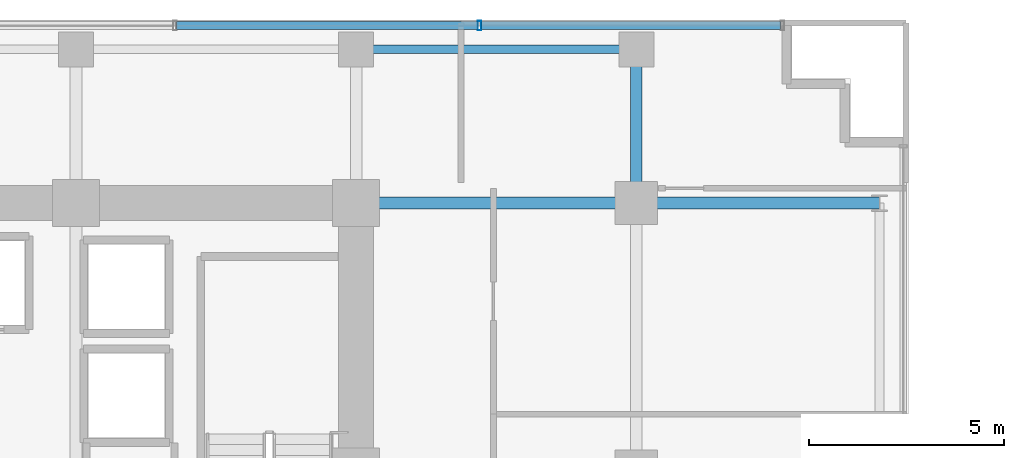
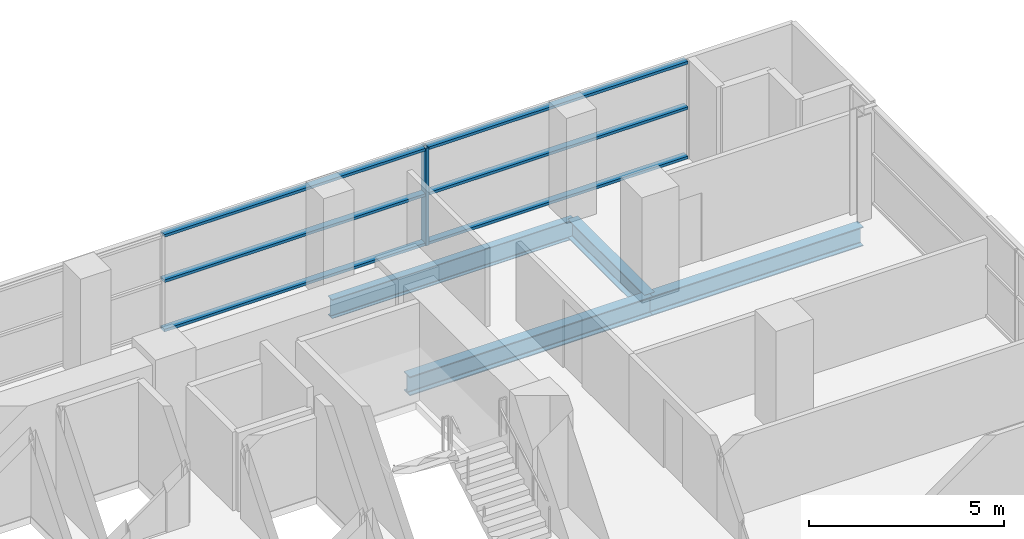
# One storey, part 19 of 30: 7 members, 4 beams, 1 element without a shape of its own.
"""IFC4 building model written with IfcOpenShell, lengths in metres."""

from ifc_helpers import new_model, si_unit, direction, frame, origin, origin_2d, place, context, subcontext, project, spatial, hollow_rectangle, i_section, extrude, source, transform, mapped, material, layer, layer_set, material_profile, profile_set, type_object, element, aggregate, save


model = new_model("IFC4")

# Units and contexts
model_context = context("Model", 3, precision=1e-05, world=origin(), true_north=direction((0.0, 1.0)))
body_context = subcontext(model_context, "Body", "Model", "MODEL_VIEW")
ifc_project = project(units=[si_unit("LENGTHUNIT", "METRE"), si_unit("AREAUNIT", "SQUARE_METRE"), si_unit("VOLUMEUNIT", "CUBIC_METRE"), si_unit("PLANEANGLEUNIT", "RADIAN"), si_unit("MASSUNIT", "GRAM", prefix="KILO")], contexts=[model_context])

# Site, building, storey
site_placement = place(None, origin())
site = spatial("IfcSite", under=ifc_project, at=site_placement, CompositionType="ELEMENT")
building_placement = place(site_placement, origin())
building = spatial("IfcBuilding", under=site, at=building_placement, Name="Zarnakvel Exchange Tower", CompositionType="ELEMENT")
storey_placement = place(building_placement, frame((0.0, 0.0, 50.5)))
storey = spatial("IfcBuildingStorey", under=building, at=storey_placement, Name="L13", CompositionType="ELEMENT", Elevation=50.5)

# Beams
ifc_material_1 = material(Name="Steel S355", Category="steel")
ifc_material_profile_1 = material_profile(ifc_material_1, i_section(OverallWidth=0.300048828125, OverallDepth=0.60009765625, WebThickness=0.015380859375, FlangeThickness=0.030029296875, FilletRadius=0.027099609375, at=origin_2d()))
ifc_profile_set_1 = profile_set([ifc_material_profile_1], Name="Steel S355")
beam_type_1 = type_object("IfcBeamType", Name="G-04", PredefinedType="BEAM", material=ifc_profile_set_1)
beam_1_placement = place(storey_placement, frame((14.39990234375, 13.5, -0.52490234375), z_axis=(1.0, 0.0, 0.0), x_axis=(0.0, 1.0, 0.0)))
element("IfcBeam", 1, at=beam_1_placement, inside=storey, type_object=beam_type_1, Name="L13 Tower E-W Frame Beam", PredefinedType="BEAM", context=body_context, shape_type="SweptSolid", body=[
    extrude(i_section(OverallWidth=0.300048828125, OverallDepth=0.60009765625, WebThickness=0.015380859375, FlangeThickness=0.030029296875, FilletRadius=0.027099609375, at=origin_2d()), origin(), (0.0, 0.0, 1.0), 7.2001953125),
])
beam_2_placement = place(storey_placement, frame((21.60009765625, 13.5, -0.52490234375), z_axis=(1.0, 0.0, 0.0), x_axis=(0.0, 1.0, 0.0)))
element("IfcBeam", 2, at=beam_2_placement, inside=storey, type_object=beam_type_1, Name="L13 Tower E-W Frame Beam", PredefinedType="BEAM", context=body_context, shape_type="SweptSolid", body=[
    extrude(i_section(OverallWidth=0.300048828125, OverallDepth=0.60009765625, WebThickness=0.015380859375, FlangeThickness=0.030029296875, FilletRadius=0.027099609375, at=origin_2d()), origin(), (0.0, 0.0, 1.0), 6.25),
])
beam_3_placement = place(storey_placement, frame((21.60009765625, 13.5, -0.52490234375), z_axis=(0.0, 1.0, 0.0), x_axis=(-1.0, 0.0, 0.0)))
element("IfcBeam", 3, at=beam_3_placement, inside=storey, type_object=beam_type_1, Name="L13 Tower N-S Frame Beam", PredefinedType="BEAM", context=body_context, shape_type="SweptSolid", body=[
    extrude(i_section(OverallWidth=0.300048828125, OverallDepth=0.60009765625, WebThickness=0.015380859375, FlangeThickness=0.030029296875, FilletRadius=0.027099609375, at=origin_2d()), origin(), (0.0, 0.0, 1.0), 3.949951171875),
])
ifc_material_profile_2 = material_profile(ifc_material_1, i_section(OverallWidth=0.219970703125, OverallDepth=0.60009765625, WebThickness=0.011962890625, FlangeThickness=0.01904296875, FilletRadius=0.02392578125, at=origin_2d()))
ifc_profile_set_2 = profile_set([ifc_material_profile_2], Name="Steel S355")
beam_type_2 = type_object("IfcBeamType", Name="SP-01", PredefinedType="SPANDREL", material=ifc_profile_set_2)
beam_4_placement = place(storey_placement, frame((14.39990234375, 17.449951171875, -0.52490234375), z_axis=(1.0, 0.0, 0.0), x_axis=(0.0, 1.0, 0.0)))
element("IfcBeam", 4, at=beam_4_placement, inside=storey, type_object=beam_type_2, Name="L13 Tower E-W Frame Beam", PredefinedType="SPANDREL", context=body_context, shape_type="SweptSolid", body=[
    extrude(i_section(OverallWidth=0.219970703125, OverallDepth=0.60009765625, WebThickness=0.011962890625, FlangeThickness=0.01904296875, FilletRadius=0.02392578125, at=origin_2d()), origin(), (0.0, 0.0, 1.0), 7.2001953125),
])

# Curtain wall, members
ifc_material_2 = material(Name="Architectural Bronze Anodised Aluminium", Category="aluminium")
ifc_layer = layer(ifc_material_2, 0.239990234375)
ifc_layer_set = layer_set([ifc_layer], Name="Architectural Bronze Anodised Aluminium")
curtain_wall_type = type_object("IfcCurtainWallType", Name="CW-02", PredefinedType="NOTDEFINED", material=ifc_layer_set)
curtain_wall_placement = place(storey_placement, origin())
curtain_wall = element("IfcCurtainWall", 5, at=curtain_wall_placement, inside=storey, type_object=curtain_wall_type, Name="L13 Curtain Wall CW-L13-N1 (CW-02)", PredefinedType="NOTDEFINED")
ifc_material_profile_3 = material_profile(ifc_material_2, hollow_rectangle(XDim=0.199951171875, YDim=0.0849609375, WallThickness=0.0048828125, at=origin_2d()))
ifc_profile_set_3 = profile_set([ifc_material_profile_3], Name="Architectural Bronze Anodised Aluminium")
member_type_1 = type_object("IfcMemberType", Name="CWT-02", PredefinedType="USERDEFINED", material=ifc_profile_set_3)
shared_shape_1 = source(origin(), body_context, "Body", "SweptSolid", [
    extrude(hollow_rectangle(XDim=0.199951171875, YDim=0.0849609375, WallThickness=0.0048828125, at=origin_2d()), origin(), (0.0, 0.0, 1.0), 7.693603515625),
])
member_1_placement = place(storey_placement, frame((17.616455078125, 18.06005859375, 0.04248046875), z_axis=(1.0, 0.0, 0.0), x_axis=(0.0, 1.0, 0.0)))
member_1 = element("IfcMember", 6, at=member_1_placement, type_object=member_type_1, Name="CW-02 transom 7.1", ObjectType="TRANSOM", PredefinedType="USERDEFINED", context=body_context, shape_type="MappedRepresentation", body=[
    mapped(shared_shape_1, transform((0.0, 0.0, 0.0), x_axis=(1.0, 0.0, 0.0), y_axis=(0.0, 1.0, 0.0), z_axis=(0.0, 0.0, 1.0), scale=1.0)),
])
member_2_placement = place(storey_placement, frame((17.616455078125, 18.06005859375, 1.588623046875), z_axis=(1.0, 0.0, 0.0), x_axis=(0.0, 1.0, 0.0)))
member_2 = element("IfcMember", 7, at=member_2_placement, type_object=member_type_1, Name="CW-02 transom 7.2", ObjectType="TRANSOM", PredefinedType="USERDEFINED", context=body_context, shape_type="MappedRepresentation", body=[
    mapped(shared_shape_1, transform((0.0, 0.0, 0.0), x_axis=(1.0, 0.0, 0.0), y_axis=(0.0, 1.0, 0.0), z_axis=(0.0, 0.0, 1.0), scale=1.0)),
])
member_3_placement = place(storey_placement, frame((17.616455078125, 18.06005859375, 3.012451171875), z_axis=(1.0, 0.0, 0.0), x_axis=(0.0, 1.0, 0.0)))
member_3 = element("IfcMember", 8, at=member_3_placement, type_object=member_type_1, Name="CW-02 transom 7.3", ObjectType="TRANSOM", PredefinedType="USERDEFINED", context=body_context, shape_type="MappedRepresentation", body=[
    mapped(shared_shape_1, transform((0.0, 0.0, 0.0), x_axis=(1.0, 0.0, 0.0), y_axis=(0.0, 1.0, 0.0), z_axis=(0.0, 0.0, 1.0), scale=1.0)),
])
shared_shape_2 = source(origin(), body_context, "Body", "SweptSolid", [
    extrude(hollow_rectangle(XDim=0.199951171875, YDim=0.0849609375, WallThickness=0.0048828125, at=origin_2d()), origin(), (0.0, 0.0, 1.0), 7.738525390625),
])
member_4_placement = place(storey_placement, frame((9.787841796875, 18.06005859375, 0.04248046875), z_axis=(1.0, 0.0, 0.0), x_axis=(0.0, 1.0, 0.0)))
member_4 = element("IfcMember", 9, at=member_4_placement, type_object=member_type_1, Name="CW-02 transom 6.1", ObjectType="TRANSOM", PredefinedType="USERDEFINED", context=body_context, shape_type="MappedRepresentation", body=[
    mapped(shared_shape_2, transform((0.0, 0.0, 0.0), x_axis=(1.0, 0.0, 0.0), y_axis=(0.0, 1.0, 0.0), z_axis=(0.0, 0.0, 1.0), scale=1.0)),
])
member_5_placement = place(storey_placement, frame((9.787841796875, 18.06005859375, 1.588623046875), z_axis=(1.0, 0.0, 0.0), x_axis=(0.0, 1.0, 0.0)))
member_5 = element("IfcMember", 10, at=member_5_placement, type_object=member_type_1, Name="CW-02 transom 6.2", ObjectType="TRANSOM", PredefinedType="USERDEFINED", context=body_context, shape_type="MappedRepresentation", body=[
    mapped(shared_shape_2, transform((0.0, 0.0, 0.0), x_axis=(1.0, 0.0, 0.0), y_axis=(0.0, 1.0, 0.0), z_axis=(0.0, 0.0, 1.0), scale=1.0)),
])
member_6_placement = place(storey_placement, frame((9.787841796875, 18.06005859375, 3.012451171875), z_axis=(1.0, 0.0, 0.0), x_axis=(0.0, 1.0, 0.0)))
member_6 = element("IfcMember", 11, at=member_6_placement, type_object=member_type_1, Name="CW-02 transom 6.3", ObjectType="TRANSOM", PredefinedType="USERDEFINED", context=body_context, shape_type="MappedRepresentation", body=[
    mapped(shared_shape_2, transform((0.0, 0.0, 0.0), x_axis=(1.0, 0.0, 0.0), y_axis=(0.0, 1.0, 0.0), z_axis=(0.0, 0.0, 1.0), scale=1.0)),
])
ifc_material_profile_4 = material_profile(ifc_material_2, hollow_rectangle(XDim=0.239990234375, YDim=0.090087890625, WallThickness=0.006103515625, at=origin_2d()))
ifc_profile_set_4 = profile_set([ifc_material_profile_4], Name="Architectural Bronze Anodised Aluminium")
member_type_2 = type_object("IfcMemberType", Name="CWM-02", PredefinedType="MULLION", material=ifc_profile_set_4)
shared_shape_3 = source(origin(), body_context, "Body", "SweptSolid", [
    extrude(hollow_rectangle(XDim=0.239990234375, YDim=0.090087890625, WallThickness=0.006103515625, at=origin_2d()), origin(), (0.0, 0.0, 1.0), 3.054931640625),
])
member_7_placement = place(storey_placement, frame((17.571533203125, 18.06005859375, 0.0), z_axis=(0.0, 0.0, 1.0), x_axis=(0.0, 1.0, 0.0)))
member_7 = element("IfcMember", 12, at=member_7_placement, type_object=member_type_2, Name="CW-02 mullion 7", PredefinedType="MULLION", context=body_context, shape_type="MappedRepresentation", body=[
    mapped(shared_shape_3, transform((0.0, 0.0, 0.0), x_axis=(1.0, 0.0, 0.0), y_axis=(0.0, 1.0, 0.0), z_axis=(0.0, 0.0, 1.0), scale=1.0)),
])
aggregate(curtain_wall, [member_7, member_4, member_5, member_6, member_1, member_2, member_3])

save(model, "model.ifc")
